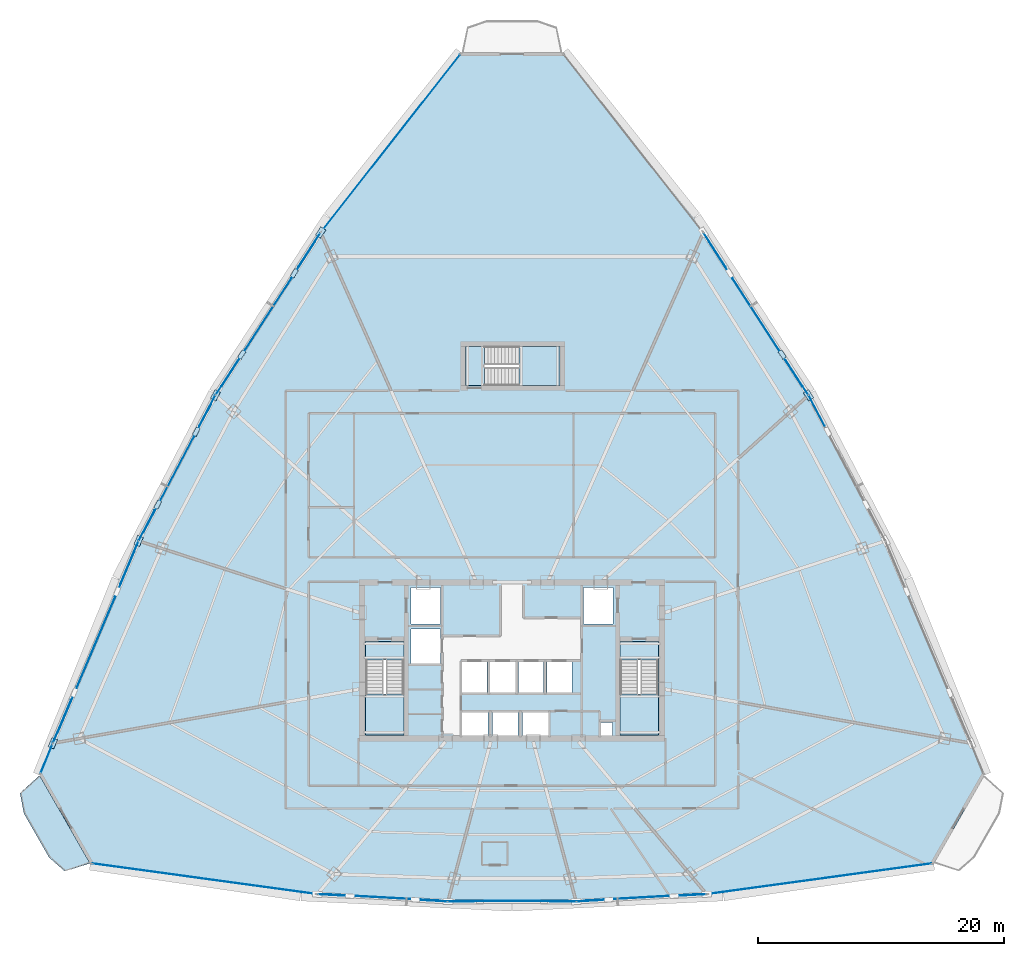
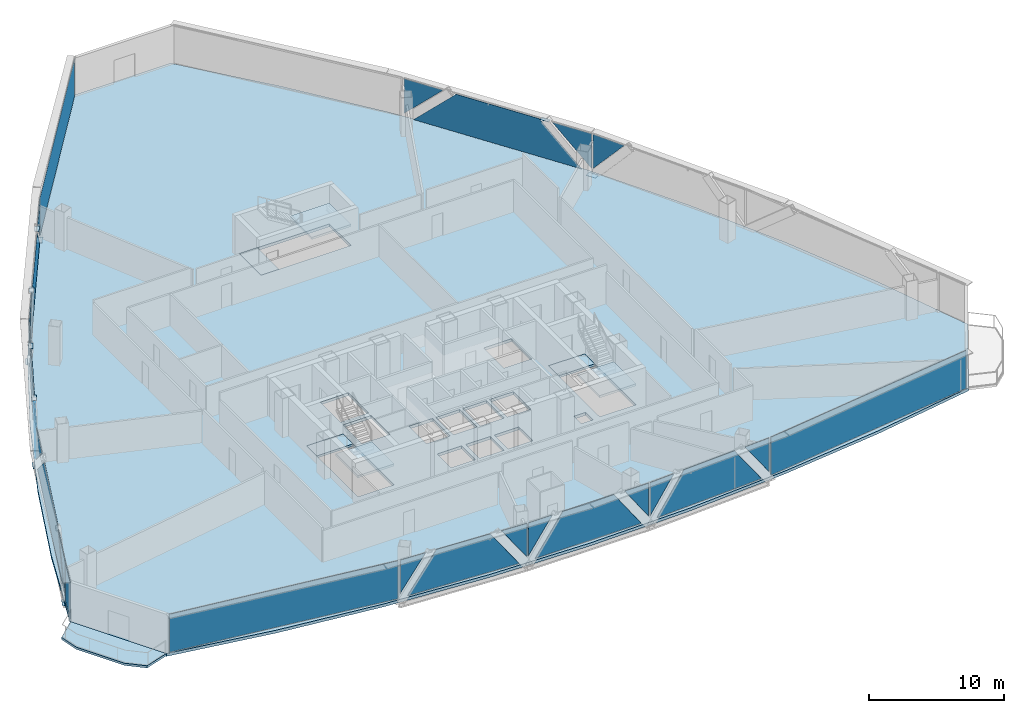
# One storey, part 28 of 37: 36 plates, 8 slabs, 15 elements without a shape of their own.
"""IFC4 building model written with IfcOpenShell, lengths in metres."""

from ifc_helpers import new_model, si_unit, direction, frame, origin, origin_2d, place, context, subcontext, project, spatial, polyline, rectangle, outline, extrude, source, transform, mapped, material, layer, layer_set, type_object, element, aggregate, save


model = new_model("IFC4")

# Units and contexts
model_context = context("Model", 3, precision=1e-05, world=origin(), true_north=direction((0.0, 1.0)))
body_context = subcontext(model_context, "Body", "Model", "MODEL_VIEW")
ifc_project = project(units=[si_unit("LENGTHUNIT", "METRE"), si_unit("AREAUNIT", "SQUARE_METRE"), si_unit("VOLUMEUNIT", "CUBIC_METRE"), si_unit("PLANEANGLEUNIT", "RADIAN"), si_unit("MASSUNIT", "GRAM", prefix="KILO"), si_unit("THERMODYNAMICTEMPERATUREUNIT", "KELVIN"), si_unit("POWERUNIT", "WATT")], contexts=[model_context])

# Site, building, storey
site_placement = place(None, origin())
site = spatial("IfcSite", under=ifc_project, at=site_placement, CompositionType="ELEMENT")
building_placement = place(site_placement, origin())
building = spatial("IfcBuilding", under=site, at=building_placement, Name="Yunzhuo Pagoda Commons", CompositionType="ELEMENT")
storey_placement = place(building_placement, frame((0.0, 0.0, 192.360107421875)))
storey = spatial("IfcBuildingStorey", under=building, at=storey_placement, Name="L48", CompositionType="ELEMENT", Elevation=192.360107421875)

# Curtain wall, plates
ifc_material_1 = material(Name="Anodized aluminium 6063-T6", Category="aluminium")
ifc_layer_1 = layer(ifc_material_1, 0.14990234375)
ifc_layer_set_1 = layer_set([ifc_layer_1], Name="Anodized aluminium 6063-T6")
curtain_wall_type = type_object("IfcCurtainWallType", Name="CW-MID Mid-Zone Ribbon Curtain Wall", PredefinedType="NOTDEFINED", material=ifc_layer_set_1)
curtain_wall_1_placement = place(storey_placement, origin())
curtain_wall_1 = element("IfcCurtainWall", 1, at=curtain_wall_1_placement, inside=storey, type_object=curtain_wall_type, Name="L48 curtain wall CW-L48-F1B2", PredefinedType="NOTDEFINED")
ifc_material_2 = material(Name="Tempered low-e double glazing", Category="glass")
ifc_layer_2 = layer(ifc_material_2, 0.028076171875)
ifc_layer_set_2 = layer_set([ifc_layer_2], Name="Tempered low-e double glazing")
plate_type_1 = type_object("IfcPlateType", Name="CW-MID-P Low-E Double Glazing 28", PredefinedType="CURTAIN_PANEL", material=ifc_layer_set_2)
plate_1_placement = place(storey_placement, frame((33.272705078125, 14.781005859375, 1.986572265625), z_axis=(-0.055982959182, -0.998431724396, 0.0), x_axis=(0.998431724396, -0.055982959182, 0.0)))
plate_1 = element("IfcPlate", 2, at=plate_1_placement, type_object=plate_type_1, Name="CW panel 1.1 lite 1", PredefinedType="CURTAIN_PANEL", context=body_context, shape_type="SweptSolid", body=[
    extrude(outline(polyline([(-1.04833984375, -1.498291015625), (1.04833984375, 1.498291015625), (-1.04833984375, 1.498291015625), (-1.04833984375, -1.498291015625)])), origin(), (0.0, 0.0, 1.0), 0.028076171875),
])
plate_2_placement = place(storey_placement, frame((37.47705078125, 14.5751953125, 1.769775390625), z_axis=(-0.055982959182, -0.998431724396, 0.0), x_axis=(0.998431724396, -0.055982959182, 0.0)))
plate_2 = element("IfcPlate", 3, at=plate_2_placement, type_object=plate_type_1, Name="CW panel 1.1 lite 2", PredefinedType="CURTAIN_PANEL", context=body_context, shape_type="SweptSolid", body=[
    extrude(outline(polyline([(-4.633544921875, -1.715087890625), (4.633544921875, -1.715087890625), (2.2333984375, 1.715087890625), (-2.2333984375, 1.715087890625), (-4.633544921875, -1.715087890625)])), origin(), (0.0, 0.0, 1.0), 0.028076171875),
])
plate_3_placement = place(storey_placement, frame((41.67822265625, 14.3095703125, 1.986572265625), z_axis=(-0.055982959182, -0.998431724396, 0.0), x_axis=(0.998431724396, -0.055982959182, 0.0)))
plate_3 = element("IfcPlate", 4, at=plate_3_placement, type_object=plate_type_1, Name="CW panel 1.1 lite 3", PredefinedType="CURTAIN_PANEL", context=body_context, shape_type="SweptSolid", body=[
    extrude(outline(polyline([(-1.04833984375, 1.498291015625), (1.04833984375, -1.498291015625), (1.04833984375, 1.498291015625), (-1.04833984375, 1.498291015625)])), origin(), (0.0, 0.0, 1.0), 0.028076171875),
])
aggregate(curtain_wall_1, [plate_1, plate_2, plate_3])

curtain_wall_2_placement = place(storey_placement, origin())
curtain_wall_2 = element("IfcCurtainWall", 5, at=curtain_wall_2_placement, inside=storey, type_object=curtain_wall_type, Name="L48 curtain wall CW-L48-F1B3", PredefinedType="NOTDEFINED")
plate_4_placement = place(storey_placement, frame((43.86865234375, 14.24755859375, 1.991943359375), z_axis=(0.0, -1.0, 0.0), x_axis=(1.0, 0.0, 0.0)))
plate_4 = element("IfcPlate", 6, at=plate_4_placement, type_object=plate_type_1, Name="CW panel 1.1 lite 1", PredefinedType="CURTAIN_PANEL", context=body_context, shape_type="SweptSolid", body=[
    extrude(outline(polyline([(-1.024658203125, -1.492919921875), (1.024658203125, 1.492919921875), (-1.024658203125, 1.492919921875), (-1.024658203125, -1.492919921875)])), origin(), (0.0, 0.0, 1.0), 0.028076171875),
])
plate_5_placement = place(storey_placement, frame((48.0, 14.27783203125, 1.769775390625), z_axis=(0.0, -1.0, 0.0), x_axis=(1.0, 0.0, 0.0)))
plate_5 = element("IfcPlate", 7, at=plate_5_placement, type_object=plate_type_1, Name="CW panel 1.1 lite 2", PredefinedType="CURTAIN_PANEL", context=body_context, shape_type="SweptSolid", body=[
    extrude(outline(polyline([(-4.538818359375, -1.715087890625), (4.538818359375, -1.715087890625), (2.184814453125, 1.715087890625), (-2.184814453125, 1.715087890625), (-4.538818359375, -1.715087890625)])), origin(), (0.0, 0.0, 1.0), 0.028076171875),
])
plate_6_placement = place(storey_placement, frame((52.13134765625, 14.24755859375, 1.991943359375), z_axis=(0.0, -1.0, 0.0), x_axis=(1.0, 0.0, 0.0)))
plate_6 = element("IfcPlate", 8, at=plate_6_placement, type_object=plate_type_1, Name="CW panel 1.1 lite 3", PredefinedType="CURTAIN_PANEL", context=body_context, shape_type="SweptSolid", body=[
    extrude(outline(polyline([(-1.024658203125, 1.492919921875), (1.024658203125, -1.492919921875), (1.024658203125, 1.492919921875), (-1.024658203125, 1.492919921875)])), origin(), (0.0, 0.0, 1.0), 0.028076171875),
])
aggregate(curtain_wall_2, [plate_4, plate_5, plate_6])

curtain_wall_3_placement = place(storey_placement, origin())
curtain_wall_3 = element("IfcCurtainWall", 9, at=curtain_wall_3_placement, inside=storey, type_object=curtain_wall_type, Name="L48 curtain wall CW-L48-F1B4", PredefinedType="NOTDEFINED")
plate_7_placement = place(storey_placement, frame((54.32177734375, 14.3095703125, 1.986572265625), z_axis=(0.055982959182, -0.998431724396, 0.0), x_axis=(0.998431724396, 0.055982959182, 0.0)))
plate_7 = element("IfcPlate", 10, at=plate_7_placement, type_object=plate_type_1, Name="CW panel 1.1 lite 1", PredefinedType="CURTAIN_PANEL", context=body_context, shape_type="SweptSolid", body=[
    extrude(outline(polyline([(-1.04833984375, -1.498291015625), (1.04833984375, 1.498291015625), (-1.04833984375, 1.498291015625), (-1.04833984375, -1.498291015625)])), origin(), (0.0, 0.0, 1.0), 0.028076171875),
])
plate_8_placement = place(storey_placement, frame((58.52294921875, 14.5751953125, 1.769775390625), z_axis=(0.055982959182, -0.998431724396, 0.0), x_axis=(0.998431724396, 0.055982959182, 0.0)))
plate_8 = element("IfcPlate", 11, at=plate_8_placement, type_object=plate_type_1, Name="CW panel 1.1 lite 2", PredefinedType="CURTAIN_PANEL", context=body_context, shape_type="SweptSolid", body=[
    extrude(outline(polyline([(-4.633544921875, -1.715087890625), (4.633544921875, -1.715087890625), (2.2333984375, 1.715087890625), (-2.2333984375, 1.715087890625), (-4.633544921875, -1.715087890625)])), origin(), (0.0, 0.0, 1.0), 0.028076171875),
])
plate_9_placement = place(storey_placement, frame((62.727294921875, 14.781005859375, 1.986572265625), z_axis=(0.055982959182, -0.998431724396, 0.0), x_axis=(0.998431724396, 0.055982959182, 0.0)))
plate_9 = element("IfcPlate", 12, at=plate_9_placement, type_object=plate_type_1, Name="CW panel 1.1 lite 3", PredefinedType="CURTAIN_PANEL", context=body_context, shape_type="SweptSolid", body=[
    extrude(outline(polyline([(-1.04833984375, 1.498291015625), (1.04833984375, -1.498291015625), (1.04833984375, 1.498291015625), (-1.04833984375, 1.498291015625)])), origin(), (0.0, 0.0, 1.0), 0.028076171875),
])
aggregate(curtain_wall_3, [plate_7, plate_8, plate_9])

# Curtain wall, plate
curtain_wall_4_placement = place(storey_placement, origin())
curtain_wall_4 = element("IfcCurtainWall", 13, at=curtain_wall_4_placement, inside=storey, type_object=curtain_wall_type, Name="L48 curtain wall CW-L48-F2B3", PredefinedType="NOTDEFINED")
plate_10_placement = place(storey_placement, frame((72.77783203125, 54.15234375, 1.933837890625), z_axis=(0.884483826433, 0.466570852903, 0.0), x_axis=(-0.466570852903, 0.884483826433, 0.0)))
plate_10 = element("IfcPlate", 14, at=plate_10_placement, type_object=plate_type_1, Name="CW panel 1.1 lite 3", PredefinedType="CURTAIN_PANEL", context=body_context, shape_type="SweptSolid", body=[
    extrude(outline(polyline([(-1.367431640625, 1.551025390625), (1.367431640625, -1.55126953125), (1.367431640625, 1.551025390625), (-1.367431640625, 1.551025390625)])), origin(), (0.0, 0.0, 1.0), 0.028076171875),
])
aggregate(curtain_wall_4, [plate_10])

# Curtain wall, plates
curtain_wall_5_placement = place(storey_placement, origin())
curtain_wall_5 = element("IfcCurtainWall", 15, at=curtain_wall_5_placement, inside=storey, type_object=curtain_wall_type, Name="L48 curtain wall CW-L48-F2B4", PredefinedType="NOTDEFINED")
plate_11_placement = place(storey_placement, frame((71.190673828125, 56.84033203125, 1.9052734375), z_axis=(0.839794048542, 0.542905107761, 0.0), x_axis=(-0.542905107761, 0.839794048542, 0.0)))
plate_11 = element("IfcPlate", 16, at=plate_11_placement, type_object=plate_type_1, Name="CW panel 1.1 lite 1", PredefinedType="CURTAIN_PANEL", context=body_context, shape_type="SweptSolid", body=[
    extrude(outline(polyline([(-1.63818359375, -1.57958984375), (1.63818359375, 1.57958984375), (-1.63818359375, 1.57958984375), (-1.63818359375, -1.57958984375)])), origin(), (0.0, 0.0, 1.0), 0.028076171875),
])
plate_12_placement = place(storey_placement, frame((67.807861328125, 62.017333984375, 1.769775390625), z_axis=(0.839794048542, 0.542905107761, 0.0), x_axis=(-0.542905107761, 0.839794048542, 0.0)))
plate_12 = element("IfcPlate", 17, at=plate_12_placement, type_object=plate_type_1, Name="CW panel 1.1 lite 2", PredefinedType="CURTAIN_PANEL", context=body_context, shape_type="SweptSolid", body=[
    extrude(outline(polyline([(-7.00830078125, -1.715087890625), (7.00830078125, -1.715087890625), (3.45068359375, 1.715087890625), (-3.45068359375, 1.715087890625), (-7.00830078125, -1.715087890625)])), origin(), (0.0, 0.0, 1.0), 0.028076171875),
])
plate_13_placement = place(storey_placement, frame((64.475830078125, 67.22705078125, 1.9052734375), z_axis=(0.839794048542, 0.542905107761, 0.0), x_axis=(-0.542905107761, 0.839794048542, 0.0)))
plate_13 = element("IfcPlate", 18, at=plate_13_placement, type_object=plate_type_1, Name="CW panel 1.1 lite 3", PredefinedType="CURTAIN_PANEL", context=body_context, shape_type="SweptSolid", body=[
    extrude(outline(polyline([(-1.63818359375, 1.57958984375), (1.63818359375, -1.57958984375), (1.63818359375, 1.57958984375), (-1.63818359375, 1.57958984375)])), origin(), (0.0, 0.0, 1.0), 0.028076171875),
])
aggregate(curtain_wall_5, [plate_11, plate_12, plate_13])

curtain_wall_6_placement = place(storey_placement, origin())
curtain_wall_6 = element("IfcCurtainWall", 19, at=curtain_wall_6_placement, inside=storey, type_object=curtain_wall_type, Name="L48 curtain wall CW-L48-F3B2", PredefinedType="NOTDEFINED")
plate_14_placement = place(storey_placement, frame((31.524169921875, 67.22705078125, 1.9052734375), z_axis=(-0.839794048542, 0.542905107761, 0.0), x_axis=(-0.542905107761, -0.839794048542, 0.0)))
plate_14 = element("IfcPlate", 20, at=plate_14_placement, type_object=plate_type_1, Name="CW panel 1.1 lite 1", PredefinedType="CURTAIN_PANEL", context=body_context, shape_type="SweptSolid", body=[
    extrude(outline(polyline([(-1.63818359375, -1.57958984375), (1.63818359375, 1.57958984375), (-1.63818359375, 1.57958984375), (-1.63818359375, -1.57958984375)])), origin(), (0.0, 0.0, 1.0), 0.028076171875),
])
plate_15_placement = place(storey_placement, frame((28.192138671875, 62.017333984375, 1.769775390625), z_axis=(-0.839794048542, 0.542905107761, 0.0), x_axis=(-0.542905107761, -0.839794048542, 0.0)))
plate_15 = element("IfcPlate", 21, at=plate_15_placement, type_object=plate_type_1, Name="CW panel 1.1 lite 2", PredefinedType="CURTAIN_PANEL", context=body_context, shape_type="SweptSolid", body=[
    extrude(outline(polyline([(-7.00830078125, -1.715087890625), (7.00830078125, -1.715087890625), (3.45068359375, 1.715087890625), (-3.45068359375, 1.715087890625), (-7.00830078125, -1.715087890625)])), origin(), (0.0, 0.0, 1.0), 0.028076171875),
])
plate_16_placement = place(storey_placement, frame((24.809326171875, 56.84033203125, 1.9052734375), z_axis=(-0.839794048542, 0.542905107761, 0.0), x_axis=(-0.542905107761, -0.839794048542, 0.0)))
plate_16 = element("IfcPlate", 22, at=plate_16_placement, type_object=plate_type_1, Name="CW panel 1.1 lite 3", PredefinedType="CURTAIN_PANEL", context=body_context, shape_type="SweptSolid", body=[
    extrude(outline(polyline([(-1.63818359375, 1.57958984375), (1.63818359375, -1.57958984375), (1.63818359375, 1.57958984375), (-1.63818359375, 1.57958984375)])), origin(), (0.0, 0.0, 1.0), 0.028076171875),
])
aggregate(curtain_wall_6, [plate_14, plate_15, plate_16])

curtain_wall_7_placement = place(storey_placement, origin())
curtain_wall_7 = element("IfcCurtainWall", 23, at=curtain_wall_7_placement, inside=storey, type_object=curtain_wall_type, Name="L48 curtain wall CW-L48-F3B3", PredefinedType="NOTDEFINED")
plate_17_placement = place(storey_placement, frame((23.22216796875, 54.15234375, 1.933837890625), z_axis=(-0.884483826433, 0.466570852903, 0.0), x_axis=(-0.466570852903, -0.884483826433, 0.0)))
plate_17 = element("IfcPlate", 24, at=plate_17_placement, type_object=plate_type_1, Name="CW panel 1.1 lite 1", PredefinedType="CURTAIN_PANEL", context=body_context, shape_type="SweptSolid", body=[
    extrude(outline(polyline([(-1.367431640625, -1.55126953125), (1.367431640625, 1.551025390625), (-1.367431640625, 1.551025390625), (-1.367431640625, -1.55126953125)])), origin(), (0.0, 0.0, 1.0), 0.028076171875),
])
plate_18_placement = place(storey_placement, frame((20.788818359375, 49.47509765625, 1.769775390625), z_axis=(-0.884483826433, 0.466570852903, 0.0), x_axis=(-0.466570852903, -0.884483826433, 0.0)))
plate_18 = element("IfcPlate", 25, at=plate_18_placement, type_object=plate_type_1, Name="CW panel 1.1 lite 2", PredefinedType="CURTAIN_PANEL", context=body_context, shape_type="SweptSolid", body=[
    extrude(outline(polyline([(-5.91552734375, -1.715087890625), (5.91552734375, -1.715087890625), (2.891845703125, 1.715087890625), (-2.891845703125, 1.715087890625), (-5.91552734375, -1.715087890625)])), origin(), (0.0, 0.0, 1.0), 0.028076171875),
])
plate_19_placement = place(storey_placement, frame((18.30224609375, 44.825927734375, 1.933837890625), z_axis=(-0.884483826433, 0.466570852903, 0.0), x_axis=(-0.466570852903, -0.884483826433, 0.0)))
plate_19 = element("IfcPlate", 26, at=plate_19_placement, type_object=plate_type_1, Name="CW panel 1.1 lite 3", PredefinedType="CURTAIN_PANEL", context=body_context, shape_type="SweptSolid", body=[
    extrude(outline(polyline([(-1.367431640625, 1.551025390625), (1.367431640625, -1.55126953125), (1.367431640625, 1.551025390625), (-1.367431640625, 1.551025390625)])), origin(), (0.0, 0.0, 1.0), 0.028076171875),
])
aggregate(curtain_wall_7, [plate_17, plate_18, plate_19])

curtain_wall_8_placement = place(storey_placement, origin())
curtain_wall_8 = element("IfcCurtainWall", 27, at=curtain_wall_8_placement, inside=storey, type_object=curtain_wall_type, Name="L48 curtain wall CW-L48-F3B4", PredefinedType="NOTDEFINED")
plate_20_placement = place(storey_placement, frame((16.880126953125, 41.779541015625, 1.88720703125), z_axis=(-0.920666607247, 0.390349840912, 0.0), x_axis=(-0.390349840912, -0.920666607247, 0.0)))
plate_20 = element("IfcPlate", 28, at=plate_20_placement, type_object=plate_type_1, Name="CW panel 1.1 lite 1", PredefinedType="CURTAIN_PANEL", context=body_context, shape_type="SweptSolid", body=[
    extrude(outline(polyline([(-1.878662109375, -1.59765625), (1.878662109375, 1.59765625), (-1.878662109375, 1.59765625), (-1.878662109375, -1.59765625)])), origin(), (0.0, 0.0, 1.0), 0.028076171875),
])
plate_21_placement = place(storey_placement, frame((14.17578125, 35.32470703125, 1.769775390625), z_axis=(-0.920666607247, 0.390349840912, 0.0), x_axis=(-0.390349840912, -0.920666607247, 0.0)))
plate_21 = element("IfcPlate", 29, at=plate_21_placement, type_object=plate_type_1, Name="CW panel 1.1 lite 2", PredefinedType="CURTAIN_PANEL", context=body_context, shape_type="SweptSolid", body=[
    extrude(outline(polyline([(-7.97998046875, -1.715087890625), (7.97998046875, -1.715087890625), (3.946533203125, 1.715087890625), (-3.94677734375, 1.715087890625), (-7.97998046875, -1.715087890625)])), origin(), (0.0, 0.0, 1.0), 0.028076171875),
])
plate_22_placement = place(storey_placement, frame((11.416259765625, 28.89306640625, 1.88720703125), z_axis=(-0.920666607247, 0.390349840912, 0.0), x_axis=(-0.390349840912, -0.920666607247, 0.0)))
plate_22 = element("IfcPlate", 30, at=plate_22_placement, type_object=plate_type_1, Name="CW panel 1.1 lite 3", PredefinedType="CURTAIN_PANEL", context=body_context, shape_type="SweptSolid", body=[
    extrude(outline(polyline([(-1.878662109375, 1.59765625), (1.878662109375, -1.59765625), (1.878662109375, 1.59765625), (-1.878662109375, 1.59765625)])), origin(), (0.0, 0.0, 1.0), 0.028076171875),
])
aggregate(curtain_wall_8, [plate_20, plate_21, plate_22])

# Slab
ifc_material_3 = material(Name="Concrete C40", Category="concrete")
ifc_layer_3 = layer(ifc_material_3, 0.199951171875)
ifc_layer_set_3 = layer_set([ifc_layer_3], Name="Concrete C40")
slab_type_1 = type_object("IfcSlabType", Name="SL-BAL Vertex Balcony Deck Slab 200", PredefinedType="FLOOR", material=ifc_layer_set_3)
slab_1_placement = place(storey_placement, frame((0.0, 0.0, -0.2001953125)))
element("IfcSlab", 31, at=slab_1_placement, inside=storey, type_object=slab_type_1, Name="L48 corner balcony V1", PredefinedType="FLOOR", context=body_context, shape_type="SweptSolid", body=[
    extrude(outline(polyline([(9.568359375, 24.48876953125), (13.66845703125, 17.347900390625), (11.62744140625, 16.69482421875), (10.349609375, 17.81591796875), (8.299560546875, 21.386474609375), (7.9755859375, 23.055419921875), (9.568359375, 24.48876953125)])), origin(), (0.0, 0.0, 1.0), 0.2001953125),
])

# Stair, slabs
stair_type_1 = type_object("IfcStairType", Name="ST-C1 Core Smokeproof Stair ST1", PredefinedType="HALF_TURN_STAIR", material=ifc_material_3)
stair_1_placement = place(storey_placement, origin())
stair_1 = element("IfcStair", 32, at=stair_1_placement, inside=storey, type_object=stair_type_1, Name="L48 Core smokeproof stair ST1", PredefinedType="HALF_TURN_STAIR")
ifc_layer_4 = layer(ifc_material_3, 0.199951171875)
ifc_layer_set_4 = layer_set([ifc_layer_4], Name="Concrete C40")
slab_type_2 = type_object("IfcSlabType", Name="SL-LND1 Stair Landing Slab 200", PredefinedType="LANDING", material=ifc_layer_set_4)
slab_2_placement = place(storey_placement, frame((0.0, 0.0, 1.699951171875)))
slab_2 = element("IfcSlab", 33, at=slab_2_placement, type_object=slab_type_2, Name="ST1 landing 1", PredefinedType="LANDING", context=body_context, shape_type="SweptSolid", body=[
    extrude(outline(polyline([(36.10009765625, 31.10009765625), (36.10009765625, 27.800048828125), (39.199951171875, 27.800048828125), (39.199951171875, 31.10009765625), (36.10009765625, 31.10009765625)])), origin(), (0.0, 0.0, 1.0), 0.199951171875),
])
slab_3_placement = place(storey_placement, frame((0.0, 0.0, -0.2001953125)))
slab_3 = element("IfcSlab", 34, at=slab_3_placement, type_object=slab_type_2, Name="ST1 floor landing L48", PredefinedType="LANDING", context=body_context, shape_type="SweptSolid", body=[
    extrude(outline(polyline([(36.10009765625, 35.39990234375), (36.10009765625, 33.89990234375), (39.199951171875, 33.89990234375), (39.199951171875, 35.39990234375), (36.10009765625, 35.39990234375)])), origin(), (0.0, 0.0, 1.0), 0.2001953125),
])
aggregate(stair_1, [slab_2, slab_3])

stair_type_2 = type_object("IfcStairType", Name="ST-C2 Core Smokeproof Stair ST2", PredefinedType="HALF_TURN_STAIR", material=ifc_material_3)
stair_2_placement = place(storey_placement, origin())
stair_2 = element("IfcStair", 35, at=stair_2_placement, inside=storey, type_object=stair_type_2, Name="L48 Core smokeproof stair ST2", PredefinedType="HALF_TURN_STAIR")
ifc_layer_5 = layer(ifc_material_3, 0.201904296875)
ifc_layer_set_5 = layer_set([ifc_layer_5], Name="Concrete C40")
slab_type_3 = type_object("IfcSlabType", Name="SL-LND2 Stair Landing Slab 202", PredefinedType="LANDING", material=ifc_layer_set_5)
slab_4_placement = place(storey_placement, frame((0.0, 0.0, 1.699951171875)))
slab_4 = element("IfcSlab", 36, at=slab_4_placement, type_object=slab_type_3, Name="ST2 landing 1", PredefinedType="LANDING", context=body_context, shape_type="SweptSolid", body=[
    extrude(outline(polyline([(56.800048828125, 31.10009765625), (56.800048828125, 27.800048828125), (59.89990234375, 27.800048828125), (59.89990234375, 31.10009765625), (56.800048828125, 31.10009765625)])), origin(), (0.0, 0.0, 1.0), 0.199951171875),
])
slab_5_placement = place(storey_placement, frame((0.0, 0.0, -0.2001953125)))
slab_5 = element("IfcSlab", 37, at=slab_5_placement, type_object=slab_type_3, Name="ST2 floor landing L48", PredefinedType="LANDING", context=body_context, shape_type="SweptSolid", body=[
    extrude(outline(polyline([(56.800048828125, 35.39990234375), (56.800048828125, 33.89990234375), (59.89990234375, 33.89990234375), (59.89990234375, 35.39990234375), (56.800048828125, 35.39990234375)])), origin(), (0.0, 0.0, 1.0), 0.2001953125),
])
aggregate(stair_2, [slab_4, slab_5])

stair_type_3 = type_object("IfcStairType", Name="ST-C3 North Tower Smokeproof Stair ST3", PredefinedType="HALF_TURN_STAIR", material=ifc_material_3)
stair_3_placement = place(storey_placement, origin())
stair_3 = element("IfcStair", 38, at=stair_3_placement, inside=storey, type_object=stair_type_3, Name="L48 North tower smokeproof stair ST3", PredefinedType="HALF_TURN_STAIR")
ifc_layer_6 = layer(ifc_material_3, 0.2041015625)
ifc_layer_set_6 = layer_set([ifc_layer_6], Name="Concrete C40")
slab_type_4 = type_object("IfcSlabType", Name="SL-LND5 North Landing Slab 204", PredefinedType="LANDING", material=ifc_layer_set_6)
slab_6_placement = place(storey_placement, frame((0.0, 0.0, 1.699951171875)))
slab_6 = element("IfcSlab", 39, at=slab_6_placement, type_object=slab_type_4, Name="ST3 landing 1", PredefinedType="LANDING", context=body_context, shape_type="SweptSolid", body=[
    extrude(outline(polyline([(48.550048828125, 56.199951171875), (51.89990234375, 56.199951171875), (51.89990234375, 59.39990234375), (48.550048828125, 59.39990234375), (48.550048828125, 56.199951171875)])), origin(), (0.0, 0.0, 1.0), 0.199951171875),
])
slab_7_placement = place(storey_placement, frame((0.0, 0.0, -0.2001953125)))
slab_7 = element("IfcSlab", 40, at=slab_7_placement, type_object=slab_type_4, Name="ST3 floor landing L48", PredefinedType="LANDING", context=body_context, shape_type="SweptSolid", body=[
    extrude(outline(polyline([(44.199951171875, 56.199951171875), (45.75, 56.199951171875), (45.75, 59.39990234375), (44.199951171875, 59.39990234375), (44.199951171875, 56.199951171875)])), origin(), (0.0, 0.0, 1.0), 0.2001953125),
])
aggregate(stair_3, [slab_6, slab_7])

# Slab
ifc_layer_7 = layer(ifc_material_3, 0.260009765625)
ifc_layer_set_7 = layer_set([ifc_layer_7], Name="Concrete C40")
slab_type_5 = type_object("IfcSlabType", Name="SL-TWR Typical Tower Floor Slab 260", PredefinedType="FLOOR", material=ifc_layer_set_7)
slab_8_placement = place(storey_placement, frame((0.0, 0.0, -0.260009765625)))
element("IfcSlab", 41, at=slab_8_placement, inside=storey, type_object=slab_type_5, Name="L48 structural floor slab", PredefinedType="FLOOR", context=body_context, shape_type="SweptSolid", body=[
    extrude(outline(polyline([(12.601318359375, 32.578857421875), (15.990478515625, 40.455810546875), (19.740478515625, 48.12255859375), (23.85107421875, 55.57861328125), (28.322265625, 62.82421875), (33.154052734375, 69.859130859375), (38.3466796875, 76.68359375), (43.89990234375, 83.297607421875), (52.10009765625, 83.297607421875), (57.6533203125, 76.68359375), (62.845947265625, 69.859130859375), (67.677734375, 62.82421875), (72.14892578125, 55.57861328125), (76.259521484375, 48.12255859375), (80.009521484375, 40.455810546875), (83.398681640625, 32.578857421875), (86.427490234375, 24.4912109375), (82.327392578125, 17.350341796875), (73.74560546875, 15.888671875), (65.16357421875, 14.8447265625), (56.581787109375, 14.21826171875), (48.0, 14.009521484375), (39.418212890625, 14.21826171875), (30.836181640625, 14.8447265625), (22.25439453125, 15.888671875), (13.672607421875, 17.350341796875), (9.572509765625, 24.4912109375), (12.601318359375, 32.578857421875)]), holes=[polyline([(46.050048828125, 29.64990234375), (43.949951171875, 29.64990234375), (43.949951171875, 27.60009765625), (46.050048828125, 27.60009765625), (46.050048828125, 29.64990234375)]), polyline([(48.5, 27.60009765625), (48.5, 29.64990234375), (46.39990234375, 29.64990234375), (46.39990234375, 27.60009765625), (48.5, 27.60009765625)]), polyline([(36.10009765625, 27.800048828125), (39.199951171875, 27.800048828125), (39.199951171875, 35.39990234375), (36.10009765625, 35.39990234375), (36.10009765625, 27.800048828125)]), polyline([(45.969970703125, 31.199951171875), (45.969970703125, 33.800048828125), (43.929931640625, 33.800048828125), (43.929931640625, 31.199951171875), (45.969970703125, 31.199951171875)]), polyline([(48.27001953125, 31.199951171875), (48.27001953125, 33.800048828125), (46.22998046875, 33.800048828125), (46.22998046875, 31.199951171875), (48.27001953125, 31.199951171875)]), polyline([(42.199951171875, 33.60009765625), (42.199951171875, 36.39990234375), (39.800048828125, 36.39990234375), (39.800048828125, 33.60009765625), (42.199951171875, 33.60009765625)]), polyline([(42.199951171875, 36.800048828125), (42.199951171875, 39.800048828125), (39.800048828125, 39.800048828125), (39.800048828125, 36.800048828125), (42.199951171875, 36.800048828125)]), polyline([(56.179931640625, 28.800048828125), (55.179931640625, 28.800048828125), (55.179931640625, 27.699951171875), (56.179931640625, 27.699951171875), (56.179931640625, 28.800048828125)]), polyline([(50.949951171875, 27.60009765625), (50.949951171875, 29.64990234375), (48.85009765625, 29.64990234375), (48.85009765625, 27.60009765625), (50.949951171875, 27.60009765625)]), polyline([(56.800048828125, 27.800048828125), (59.89990234375, 27.800048828125), (59.89990234375, 35.39990234375), (56.800048828125, 35.39990234375), (56.800048828125, 27.800048828125)]), polyline([(50.570068359375, 31.199951171875), (50.570068359375, 33.800048828125), (48.530029296875, 33.800048828125), (48.530029296875, 31.199951171875), (50.570068359375, 31.199951171875)]), polyline([(52.8701171875, 31.199951171875), (52.8701171875, 33.800048828125), (50.830078125, 33.800048828125), (50.830078125, 31.199951171875), (52.8701171875, 31.199951171875)]), polyline([(56.199951171875, 36.800048828125), (56.199951171875, 39.800048828125), (53.800048828125, 39.800048828125), (53.800048828125, 36.800048828125), (56.199951171875, 36.800048828125)]), polyline([(51.89990234375, 56.199951171875), (51.89990234375, 59.39990234375), (44.199951171875, 59.39990234375), (44.199951171875, 56.199951171875), (51.89990234375, 56.199951171875)])]), origin(), (0.0, 0.0, 1.0), 0.260009765625),
])

# Plates
ifc_material_4 = material(Name="Structural steel Q355B", Category="steel")
ifc_layer_8 = layer(ifc_material_4, 0.028076171875)
ifc_layer_set_8 = layer_set([ifc_layer_8], Name="Structural steel Q355B")
plate_type_2 = type_object("IfcPlateType", Name="SP-ND1 Lattice Node Cap Plate 800x500x28", PredefinedType="USERDEFINED", material=ifc_layer_set_8)
shared_shape_1 = source(origin(), body_context, "Body", "SweptSolid", [
    extrude(rectangle(XDim=0.800048828125, YDim=0.5, at=origin_2d()), origin(), (0.0, 0.0, 1.0), 0.028076171875),
])
for number, where, z_axis, x_axis, name in (
    (42, (72.124267578125, 55.421630859375, -0.27392578125), (0.0, 0.0, 1.0), (-0.542910648791, 0.839790466384, 0.0), "L48 diamond node plate F2.3A"),
    (43, (32.4345703125, 68.660888671875, -0.27392578125), (0.0, 0.0, 1.0), (-0.542910648791, -0.839790466384, 0.0), "L48 diamond node plate F3.1A"),
    (44, (23.875732421875, 55.421630859375, -0.27392578125), (0.0, 0.0, 1.0), (-0.466571896316, -0.884483276025, 0.0), "L48 diamond node plate F3.2A"),
    (45, (17.623779296875, 43.56982421875, -0.27392578125), (0.0, 0.0, 1.0), (-0.39034551405, -0.920668441764, 0.0), "L48 diamond node plate F3.3A"),
    (46, (10.646484375, 27.113525390625, -0.27392578125), (0.0, 0.0, 1.0), (-0.39034551405, -0.920668441764, 0.0), "L48 diamond node plate F3.3B"),
):
    element("IfcPlate", number, at=place(storey_placement, frame(where, z_axis=z_axis, x_axis=x_axis)), inside=storey, type_object=plate_type_2, Name=name, ObjectType="STIFFENER_PLATE", PredefinedType="USERDEFINED", context=body_context, shape_type="MappedRepresentation", body=[
        mapped(shared_shape_1, transform((0.0, 0.0, 0.0), scale=1.0)),
    ])
shared_shape_2 = source(origin(), body_context, "Body", "SweptSolid", [
    extrude(rectangle(XDim=0.699951171875, YDim=0.35009765625, at=origin_2d()), origin(), (0.0, 0.0, 1.0), 0.035888671875),
])
for number, where, z_axis, x_axis, name in (
    (47, (69.984619140625, 58.7314453125, 3.501953125), (0.0, 0.0, 1.0), (-0.542910648791, 0.839790466384, 0.0), "L48 setback lattice tie plate F2.3L"),
    (48, (30.294921875, 65.35107421875, 3.501953125), (0.0, 0.0, 1.0), (-0.542910648791, -0.839790466384, 0.0), "L48 setback lattice tie plate F3.1L"),
    (49, (26.015380859375, 58.7314453125, 3.501953125), (0.0, 0.0, 1.0), (-0.542910648791, -0.839790466384, 0.0), "L48 setback lattice tie plate F3.1R"),
    (50, (22.312744140625, 52.45849609375, 3.501953125), (0.0, 0.0, 1.0), (-0.466571896316, -0.884483276025, 0.0), "L48 setback lattice tie plate F3.2L"),
    (51, (19.186767578125, 46.53271484375, 3.501953125), (0.0, 0.0, 1.0), (-0.466571896316, -0.884483276025, 0.0), "L48 setback lattice tie plate F3.2R"),
):
    element("IfcPlate", number, at=place(storey_placement, frame(where, z_axis=z_axis, x_axis=x_axis)), inside=storey, type_object=plate_type_2, Name=name, ObjectType="STIFFENER_PLATE", PredefinedType="USERDEFINED", context=body_context, shape_type="MappedRepresentation", body=[
        mapped(shared_shape_2, transform((0.0, 0.0, 0.0), scale=1.0)),
    ])

# Curtain wall, plate
curtain_wall_9_placement = place(storey_placement, origin())
curtain_wall_9 = element("IfcCurtainWall", 52, at=curtain_wall_9_placement, inside=storey, type_object=curtain_wall_type, Name="L48 curtain wall CW-L48-F1B1", PredefinedType="NOTDEFINED")
shared_shape_3 = source(origin(), body_context, "Body", "SweptSolid", [
    extrude(rectangle(XDim=18.307861328125, YDim=0.028076171875, at=origin_2d()), origin(), (0.0, 0.0, 1.0), 3.429931640625),
])
plate_23_placement = place(storey_placement, frame((22.9619140625, 16.0859375, 0.0546875), z_axis=(0.0, 0.0, 1.0), x_axis=(0.990803037163, -0.135312015534, 0.0)))
plate_23 = element("IfcPlate", 53, at=plate_23_placement, type_object=plate_type_1, Name="CW panel 1.1", PredefinedType="CURTAIN_PANEL", context=body_context, shape_type="MappedRepresentation", body=[
    mapped(shared_shape_3, transform((0.0, 0.0, 0.0), scale=1.0)),
])
aggregate(curtain_wall_9, [plate_23])

curtain_wall_10_placement = place(storey_placement, origin())
curtain_wall_10 = element("IfcCurtainWall", 54, at=curtain_wall_10_placement, inside=storey, type_object=curtain_wall_type, Name="L48 curtain wall CW-L48-F1B5", PredefinedType="NOTDEFINED")
plate_24_placement = place(storey_placement, frame((73.0380859375, 16.0859375, 0.0546875), z_axis=(0.0, 0.0, 1.0), x_axis=(0.990803037163, 0.135312015534, 0.0)))
plate_24 = element("IfcPlate", 55, at=plate_24_placement, type_object=plate_type_1, Name="CW panel 1.1", PredefinedType="CURTAIN_PANEL", context=body_context, shape_type="MappedRepresentation", body=[
    mapped(shared_shape_3, transform((0.0, 0.0, 0.0), scale=1.0)),
])
aggregate(curtain_wall_10, [plate_24])

curtain_wall_11_placement = place(storey_placement, origin())
curtain_wall_11 = element("IfcCurtainWall", 56, at=curtain_wall_11_placement, inside=storey, type_object=curtain_wall_type, Name="L48 curtain wall CW-L48-F3B5", PredefinedType="NOTDEFINED")
shared_shape_4 = source(origin(), body_context, "Body", "SweptSolid", [
    extrude(rectangle(XDim=2.477783203125, YDim=0.028076171875, at=origin_2d()), origin(), (0.0, 0.0, 1.0), 3.429931640625),
])
plate_25_placement = place(storey_placement, frame((10.128173828125, 25.84130859375, 0.0546875), z_axis=(0.0, 0.0, 1.0), x_axis=(-0.377349463967, -0.926070937911, 0.0)))
plate_25 = element("IfcPlate", 57, at=plate_25_placement, type_object=plate_type_1, Name="CW panel 1.1", PredefinedType="CURTAIN_PANEL", context=body_context, shape_type="MappedRepresentation", body=[
    mapped(shared_shape_4, transform((0.0, 0.0, 0.0), scale=1.0)),
])
aggregate(curtain_wall_11, [plate_25])

curtain_wall_12_placement = place(storey_placement, origin())
curtain_wall_12 = element("IfcCurtainWall", 58, at=curtain_wall_12_placement, inside=storey, type_object=curtain_wall_type, Name="L48 curtain wall CW-L48-F3B1", PredefinedType="NOTDEFINED")
shared_shape_5 = source(origin(), body_context, "Body", "SweptSolid", [
    extrude(rectangle(XDim=18.23681640625, YDim=0.028076171875, at=origin_2d()), origin(), (0.0, 0.0, 1.0), 3.429931640625),
])
plate_26_placement = place(storey_placement, frame((38.142822265625, 75.943603515625, 0.0546875), z_axis=(0.0, 0.0, 1.0), x_axis=(-0.616889324316, -0.787049910454, 0.0)))
plate_26 = element("IfcPlate", 59, at=plate_26_placement, type_object=plate_type_1, Name="CW panel 1.1", PredefinedType="CURTAIN_PANEL", context=body_context, shape_type="MappedRepresentation", body=[
    mapped(shared_shape_5, transform((0.0, 0.0, 0.0), scale=1.0)),
])
aggregate(curtain_wall_12, [plate_26])

save(model, "model.ifc")
